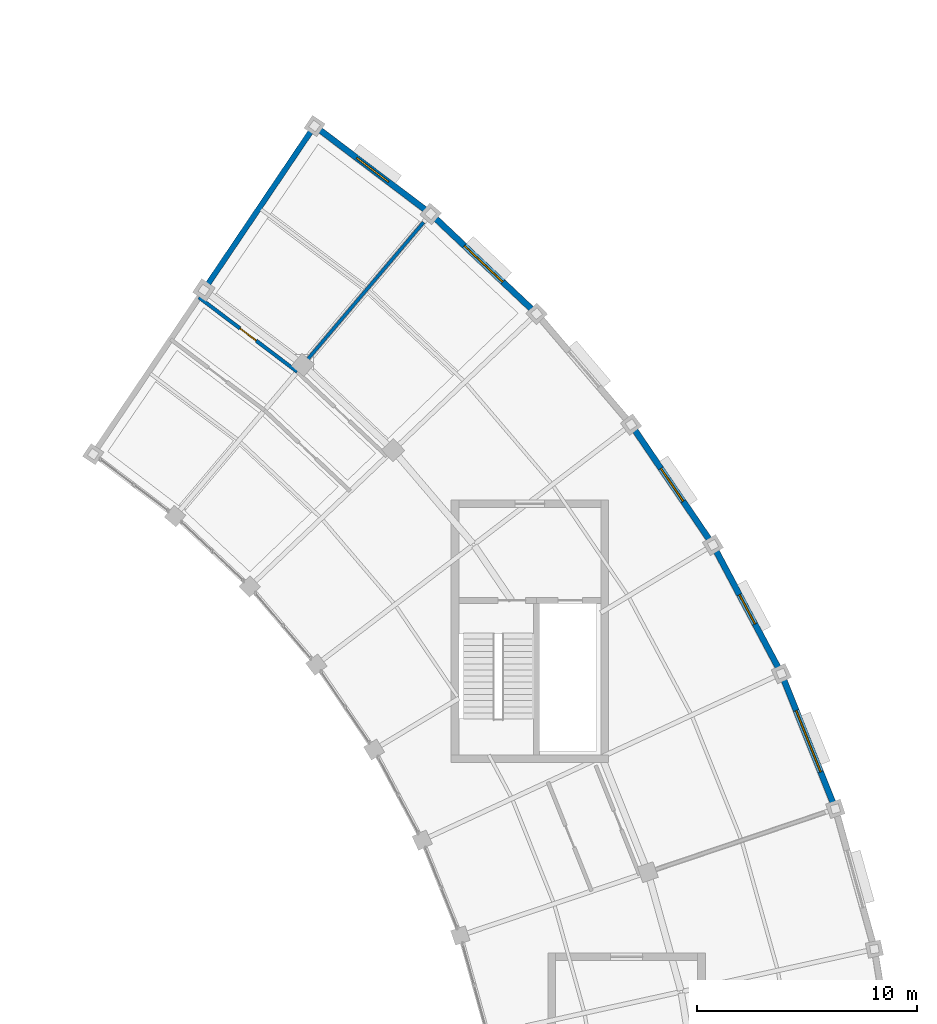
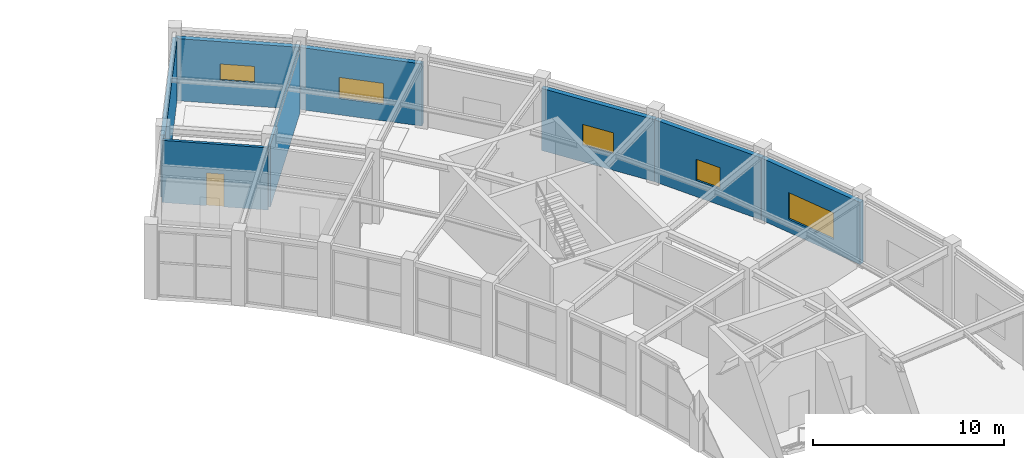
# One storey, part 85 of 100: 8 walls, 5 windows, 1 door, 6 openings.
"""IFC4 building model written with IfcOpenShell, lengths in metres."""

from ifc_helpers import new_model, si_unit, direction, frame, frame_2d, origin, place, context, subcontext, project, spatial, rectangle, extrude, material, layer, layer_set, type_object, element, fill, save


model = new_model("IFC4")

# Units and contexts
model_context = context("Model", 3, precision=1e-05, world=origin(), true_north=direction((0.0, 1.0)))
body_context = subcontext(model_context, "Body", "Model", "MODEL_VIEW")
ifc_project = project(units=[si_unit("LENGTHUNIT", "METRE"), si_unit("AREAUNIT", "SQUARE_METRE"), si_unit("VOLUMEUNIT", "CUBIC_METRE"), si_unit("PLANEANGLEUNIT", "RADIAN"), si_unit("MASSUNIT", "GRAM", prefix="KILO")], contexts=[model_context])

# Site, building, storey
site_placement = place(None, origin())
site = spatial("IfcSite", under=ifc_project, at=site_placement, CompositionType="ELEMENT")
building_placement = place(site_placement, origin())
building = spatial("IfcBuilding", under=site, at=building_placement, Name="Tarnveldt Headland Concert Hall", CompositionType="ELEMENT")
storey_placement = place(building_placement, frame((0.0, 0.0, 4.800048828125)))
storey = spatial("IfcBuildingStorey", under=building, at=storey_placement, Name="L01", CompositionType="ELEMENT", Elevation=4.800048828125)

# Wall
ifc_material_1 = material(Name="Coral-toned precast concrete C40/50", Category="concrete")
ifc_layer_1 = layer(ifc_material_1, 0.25, Name="Coral-toned precast concrete C40/50", Category="concrete")
ifc_layer_set_1 = layer_set([ifc_layer_1], Name="Coral-toned precast concrete C40/50")
wall_type_1 = type_object("IfcWallType", Name="WL-EX250", PredefinedType="SOLIDWALL", material=ifc_layer_set_1)
wall_1_placement = place(storey_placement, frame((146.589111328125, 103.126708984375, 0.0), z_axis=(0.0, 0.0, 1.0), x_axis=(0.559213098812, 0.829023950268, 0.0)))
element("IfcWall", 1, at=wall_1_placement, inside=storey, type_object=wall_type_1, Name="External precast wall L01-130", PredefinedType="SOLIDWALL", context=body_context, shape_type="SweptSolid", body=[
    extrude(rectangle(XDim=8.9599609375, YDim=0.25, at=frame_2d((4.47998046875, 0.0))), origin(), (0.0, 0.0, 1.0), 3.97802734375),
])

# Wall, opening, window
ifc_layer_2 = layer(ifc_material_1, 0.27490234375, Name="Coral-toned precast concrete C40/50", Category="concrete")
ifc_layer_set_2 = layer_set([ifc_layer_2], Name="Coral-toned precast concrete C40/50")
wall_type_2 = type_object("IfcWallType", Name="WL-EX275", PredefinedType="SOLIDWALL", material=ifc_layer_set_2)
wall_2_placement = place(storey_placement, frame((172.842041015625, 85.65380859375, 0.0), z_axis=(0.0, 0.0, 1.0), x_axis=(0.371013273361, -0.928627563122, 0.0)))
wall_2 = element("IfcWall", 2, at=wall_2_placement, inside=storey, type_object=wall_type_2, Name="External precast wall L01-121", PredefinedType="SOLIDWALL", context=body_context, shape_type="SweptSolid", body=[
    extrude(rectangle(XDim=6.5810546875, YDim=0.27490234375, at=frame_2d((3.29052734375, 0.0))), origin(), (0.0, 0.0, 1.0), 3.97802734375),
])
opening_1_placement = place(wall_2_placement, frame((1.79052734375, 0.0, 0.85009765625)))
opening_1 = element("IfcOpeningElement", 3, at=opening_1_placement, cuts=wall_2, Name="Opening W-C051", PredefinedType="OPENING", context=body_context, shape_type="SweptSolid", body=[
    extrude(rectangle(XDim=3.0, YDim=1.699951171875, at=frame_2d((1.5, 0.85009765625))), frame((0.0, 0.1474609375, 0.0), z_axis=(0.0, -1.0, 0.0), x_axis=(1.0, 0.0, 0.0)), (0.0, 0.0, 1.0), 0.294921875),
])
ifc_material_2 = material(Name="Acoustic laminated low-iron double glazing", Category="glass")
window_type_1 = type_object("IfcWindowType", Name="WN-16", PartitioningType="SINGLE_PANEL", PredefinedType="WINDOW", material=ifc_material_2)
window_1_placement = place(opening_1_placement, origin())
window_1 = element("IfcWindow", 4, at=window_1_placement, inside=storey, type_object=window_type_1, Name="Crescent coastal studio window L01-13", OverallHeight=1.699951171875, OverallWidth=3.0, PartitioningType="SINGLE_PANEL", PredefinedType="WINDOW", context=body_context, shape_type="SweptSolid", body=[
    extrude(rectangle(XDim=3.0, YDim=1.699951171875, at=frame_2d((1.5, 0.85009765625))), frame((0.0, 0.030029296875, 0.0), z_axis=(0.0, -1.0, 0.0), x_axis=(1.0, 0.0, 0.0)), (0.0, 0.0, 1.0), 0.06005859375),
])
fill(opening_1, window_1)

wall_3_placement = place(storey_placement, frame((169.735595703125, 91.5009765625, 0.0), z_axis=(0.0, 0.0, 1.0), x_axis=(0.469465310576, -0.882950917189, 0.0)))
wall_3 = element("IfcWall", 5, at=wall_3_placement, inside=storey, type_object=wall_type_2, Name="External precast wall L01-122", PredefinedType="SOLIDWALL", context=body_context, shape_type="SweptSolid", body=[
    extrude(rectangle(XDim=6.5810546875, YDim=0.27490234375, at=frame_2d((3.29052734375, 0.0))), origin(), (0.0, 0.0, 1.0), 3.97802734375),
])
opening_2_placement = place(wall_3_placement, frame((2.54052734375, 0.0, 1.050048828125)))
opening_2 = element("IfcOpeningElement", 6, at=opening_2_placement, cuts=wall_3, Name="Opening W-C052", PredefinedType="OPENING", context=body_context, shape_type="SweptSolid", body=[
    extrude(rectangle(XDim=1.5, YDim=1.35009765625, at=frame_2d((0.75, 0.675048828125))), frame((0.0, 0.1474609375, 0.0), z_axis=(0.0, -1.0, 0.0), x_axis=(1.0, 0.0, 0.0)), (0.0, 0.0, 1.0), 0.294921875),
])
window_type_2 = type_object("IfcWindowType", Name="WN-17", PartitioningType="SINGLE_PANEL", PredefinedType="WINDOW", material=ifc_material_2)
window_2_placement = place(opening_2_placement, origin())
window_2 = element("IfcWindow", 7, at=window_2_placement, inside=storey, type_object=window_type_2, Name="Crescent coastal studio window L01-14", OverallHeight=1.35009765625, OverallWidth=1.5, PartitioningType="SINGLE_PANEL", PredefinedType="WINDOW", context=body_context, shape_type="SweptSolid", body=[
    extrude(rectangle(XDim=1.5, YDim=1.35009765625, at=frame_2d((0.75, 0.675048828125))), frame((0.0, 0.030029296875, 0.0), z_axis=(0.0, -1.0, 0.0), x_axis=(1.0, 0.0, 0.0)), (0.0, 0.0, 1.0), 0.06005859375),
])
fill(opening_2, window_2)

wall_4_placement = place(storey_placement, frame((166.013671875, 96.97705078125, 0.0), z_axis=(0.0, 0.0, 1.0), x_axis=(0.56240640933, -0.826860950067, 0.0)))
wall_4 = element("IfcWall", 8, at=wall_4_placement, inside=storey, type_object=wall_type_2, Name="External precast wall L01-123", PredefinedType="SOLIDWALL", context=body_context, shape_type="SweptSolid", body=[
    extrude(rectangle(XDim=6.581298828125, YDim=0.27490234375, at=frame_2d((3.29052734375, 0.0))), origin(), (0.0, 0.0, 1.0), 3.97802734375),
])
opening_3_placement = place(wall_4_placement, frame((2.390625, 0.0, 1.050048828125)))
opening_3 = element("IfcOpeningElement", 9, at=opening_3_placement, cuts=wall_4, Name="Opening W-C053", PredefinedType="OPENING", context=body_context, shape_type="SweptSolid", body=[
    extrude(rectangle(XDim=1.800048828125, YDim=1.35009765625, at=frame_2d((0.89990234375, 0.675048828125))), frame((0.0, 0.1474609375, 0.0), z_axis=(0.0, -1.0, 0.0), x_axis=(1.0, 0.0, 0.0)), (0.0, 0.0, 1.0), 0.294921875),
])
window_type_3 = type_object("IfcWindowType", Name="WN-18", PartitioningType="SINGLE_PANEL", PredefinedType="WINDOW", material=ifc_material_2)
window_3_placement = place(opening_3_placement, origin())
window_3 = element("IfcWindow", 10, at=window_3_placement, inside=storey, type_object=window_type_3, Name="Crescent coastal studio window L01-15", OverallHeight=1.35009765625, OverallWidth=1.800048828125, PartitioningType="SINGLE_PANEL", PredefinedType="WINDOW", context=body_context, shape_type="SweptSolid", body=[
    extrude(rectangle(XDim=1.800048828125, YDim=1.35009765625, at=frame_2d((0.89990234375, 0.675048828125))), frame((0.0, 0.030029296875, 0.0), z_axis=(0.0, -1.0, 0.0), x_axis=(1.0, 0.0, 0.0)), (0.0, 0.0, 1.0), 0.06005859375),
])
fill(opening_3, window_3)

wall_5_placement = place(storey_placement, frame((156.905517578125, 106.5625, 0.0), z_axis=(0.0, 0.0, 1.0), x_axis=(0.727377231984, -0.686237832235, 0.0)))
wall_5 = element("IfcWall", 11, at=wall_5_placement, inside=storey, type_object=wall_type_2, Name="External precast wall L01-125", PredefinedType="SOLIDWALL", context=body_context, shape_type="SweptSolid", body=[
    extrude(rectangle(XDim=6.581298828125, YDim=0.27490234375, at=frame_2d((3.29052734375, 0.0))), origin(), (0.0, 0.0, 1.0), 3.97802734375),
])
opening_4_placement = place(wall_5_placement, frame((2.0908203125, 0.0, 1.050048828125)))
opening_4 = element("IfcOpeningElement", 12, at=opening_4_placement, cuts=wall_5, Name="Opening W-C055", PredefinedType="OPENING", context=body_context, shape_type="SweptSolid", body=[
    extrude(rectangle(XDim=2.39990234375, YDim=1.35009765625, at=frame_2d((1.199951171875, 0.675048828125))), frame((0.0, 0.1474609375, 0.0), z_axis=(0.0, -1.0, 0.0), x_axis=(1.0, 0.0, 0.0)), (0.0, 0.0, 1.0), 0.294921875),
])
window_type_4 = type_object("IfcWindowType", Name="WN-20", PartitioningType="SINGLE_PANEL", PredefinedType="WINDOW", material=ifc_material_2)
window_4_placement = place(opening_4_placement, origin())
window_4 = element("IfcWindow", 13, at=window_4_placement, inside=storey, type_object=window_type_4, Name="Crescent coastal studio window L01-17", OverallHeight=1.35009765625, OverallWidth=2.39990234375, PartitioningType="SINGLE_PANEL", PredefinedType="WINDOW", context=body_context, shape_type="SweptSolid", body=[
    extrude(rectangle(XDim=2.39990234375, YDim=1.35009765625, at=frame_2d((1.199951171875, 0.675048828125))), frame((0.0, 0.030029296875, 0.0), z_axis=(0.0, -1.0, 0.0), x_axis=(1.0, 0.0, 0.0)), (0.0, 0.0, 1.0), 0.06005859375),
])
fill(opening_4, window_4)

wall_6_placement = place(storey_placement, frame((151.626708984375, 110.55908203125, 0.0), z_axis=(0.0, 0.0, 1.0), x_axis=(0.797477783019, -0.603348311998, 0.0)))
wall_6 = element("IfcWall", 14, at=wall_6_placement, inside=storey, type_object=wall_type_2, Name="External precast wall L01-126", PredefinedType="SOLIDWALL", context=body_context, shape_type="SweptSolid", body=[
    extrude(rectangle(XDim=6.5810546875, YDim=0.27490234375, at=frame_2d((3.29052734375, 0.0))), origin(), (0.0, 0.0, 1.0), 3.97802734375),
])
opening_5_placement = place(wall_6_placement, frame((2.390625, 0.0, 1.5)))
opening_5 = element("IfcOpeningElement", 15, at=opening_5_placement, cuts=wall_6, Name="Opening W-C056", PredefinedType="OPENING", context=body_context, shape_type="SweptSolid", body=[
    extrude(rectangle(XDim=1.800048828125, YDim=1.050048828125, at=frame_2d((0.89990234375, 0.52490234375))), frame((0.0, 0.1474609375, 0.0), z_axis=(0.0, -1.0, 0.0), x_axis=(1.0, 0.0, 0.0)), (0.0, 0.0, 1.0), 0.294921875),
])
window_type_5 = type_object("IfcWindowType", Name="WN-24", PartitioningType="SINGLE_PANEL", PredefinedType="WINDOW", material=ifc_material_2)
window_5_placement = place(opening_5_placement, origin())
window_5 = element("IfcWindow", 16, at=window_5_placement, inside=storey, type_object=window_type_5, Name="Crescent coastal studio window L01-18", OverallHeight=1.050048828125, OverallWidth=1.800048828125, PartitioningType="SINGLE_PANEL", PredefinedType="WINDOW", context=body_context, shape_type="SweptSolid", body=[
    extrude(rectangle(XDim=1.800048828125, YDim=1.050048828125, at=frame_2d((0.89990234375, 0.52490234375))), frame((0.0, 0.030029296875, 0.0), z_axis=(0.0, -1.0, 0.0), x_axis=(1.0, 0.0, 0.0)), (0.0, 0.0, 1.0), 0.06005859375),
])
fill(opening_5, window_5)

# Wall
ifc_material_3 = material(Name="Acoustic multi-layer gypsum and mineral-wool partition", Category="gypsum")
ifc_layer_3 = layer(ifc_material_3, 0.14990234375, Name="Acoustic multi-layer gypsum and mineral-wool partition", Category="gypsum")
ifc_layer_set_3 = layer_set([ifc_layer_3], Name="Acoustic multi-layer gypsum and mineral-wool partition")
wall_type_3 = type_object("IfcWallType", Name="WL-PT150", PredefinedType="PARTITIONING", material=ifc_layer_set_3)
wall_7_placement = place(storey_placement, frame((150.9501953125, 99.5517578125, 0.0), z_axis=(0.0, 0.0, 1.0), x_axis=(0.645745976221, 0.763552312677, 0.0)))
element("IfcWall", 17, at=wall_7_placement, inside=storey, type_object=wall_type_3, Name="Interior acoustic partition L01-189", PredefinedType="PARTITIONING", context=body_context, shape_type="SweptSolid", body=[
    extrude(rectangle(XDim=8.699951171875, YDim=0.14990234375, at=frame_2d((4.35009765625, 0.0))), origin(), (0.0, 0.0, 1.0), 3.97998046875),
])

# Wall, opening, door
ifc_layer_4 = layer(ifc_material_3, 0.1650390625, Name="Acoustic multi-layer gypsum and mineral-wool partition", Category="gypsum")
ifc_layer_set_4 = layer_set([ifc_layer_4], Name="Acoustic multi-layer gypsum and mineral-wool partition")
wall_type_4 = type_object("IfcWallType", Name="WL-PT165", PredefinedType="PARTITIONING", material=ifc_layer_set_4)
wall_8_placement = place(storey_placement, frame((150.82080078125, 99.39892578125, 0.0), z_axis=(0.0, 0.0, 1.0), x_axis=(-0.797450601932, 0.603384237015, 0.0)))
wall_8 = element("IfcWall", 18, at=wall_8_placement, inside=storey, type_object=wall_type_4, Name="Interior acoustic partition L01-188", PredefinedType="PARTITIONING", context=body_context, shape_type="SweptSolid", body=[
    extrude(rectangle(XDim=5.600830078125, YDim=0.1650390625, at=frame_2d((2.80029296875, 0.0))), origin(), (0.0, 0.0, 1.0), 3.97998046875),
])
opening_6_placement = place(wall_8_placement, frame((2.34033203125, 0.0, 0.0)))
opening_6 = element("IfcOpeningElement", 19, at=opening_6_placement, cuts=wall_8, Name="Opening D-L01-196", PredefinedType="OPENING", context=body_context, shape_type="SweptSolid", body=[
    extrude(rectangle(XDim=0.919921875, YDim=2.10009765625, at=frame_2d((0.4599609375, 1.050048828125))), frame((0.0, 0.092529296875, 0.0), z_axis=(0.0, -1.0, 0.0), x_axis=(1.0, 0.0, 0.0)), (0.0, 0.0, 1.0), 0.18505859375),
])
ifc_material_4 = material(Name="Treated East African mvule hardwood", Category="wood")
door_type = type_object("IfcDoorType", Name="DR-WC092", OperationType="NOTDEFINED", PredefinedType="DOOR", material=ifc_material_4)
door_placement = place(opening_6_placement, origin())
door = element("IfcDoor", 20, at=door_placement, inside=storey, type_object=door_type, Name="Interior room door L01-196", OperationType="SINGLE_SWING_RIGHT", OverallHeight=2.10009765625, OverallWidth=0.919921875, PredefinedType="DOOR", context=body_context, shape_type="SweptSolid", body=[
    extrude(rectangle(XDim=0.919921875, YDim=2.10009765625, at=frame_2d((0.4599609375, 1.050048828125))), frame((0.0, 0.02490234375, 0.0), z_axis=(0.0, -1.0, 0.0), x_axis=(1.0, 0.0, 0.0)), (0.0, 0.0, 1.0), 0.050048828125),
])
fill(opening_6, door)

save(model, "model.ifc")
